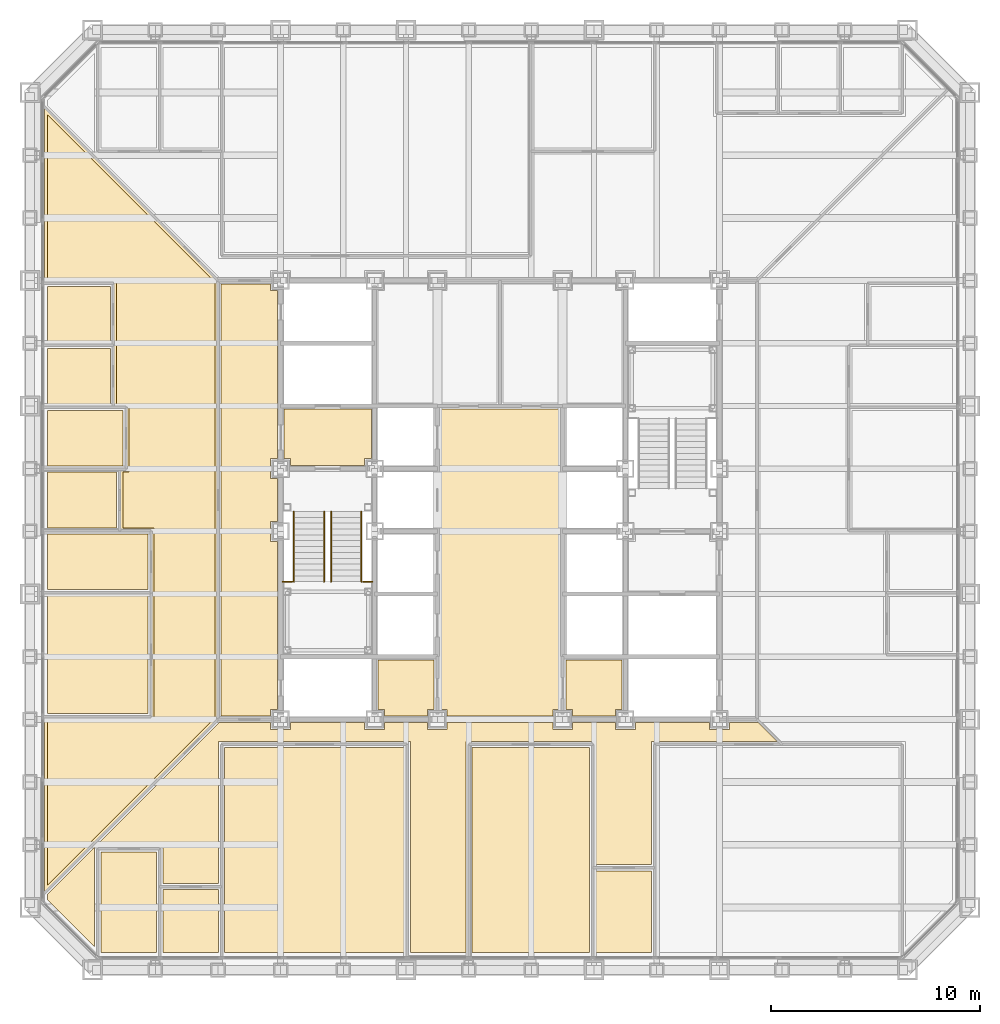
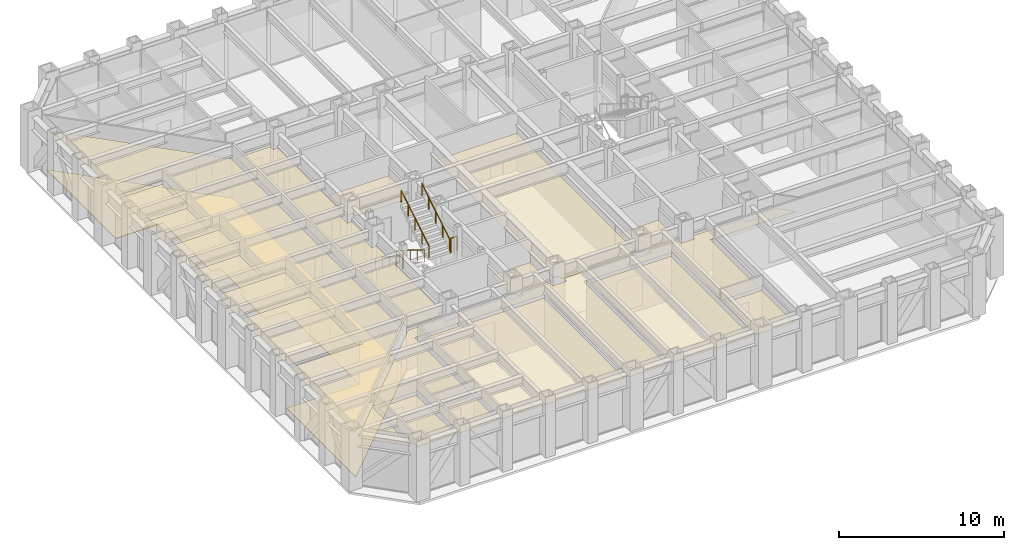
# One storey, part 14 of 17: 20 coverings, 6 railings.
"""IFC4 building model written with IfcOpenShell, lengths in metres."""

from ifc_helpers import new_model, si_unit, direction, frame, origin, origin_2d, place, context, subcontext, project, spatial, polyline, circle, outline, extrude, material, layer, layer_set, type_object, element, save


model = new_model("IFC4")

# Units and contexts
model_context = context("Model", 3, precision=1e-05, world=origin(), true_north=direction((0.0, 1.0)))
body_context = subcontext(model_context, "Body", "Model", "MODEL_VIEW")
ifc_project = project(units=[si_unit("LENGTHUNIT", "METRE"), si_unit("AREAUNIT", "SQUARE_METRE"), si_unit("VOLUMEUNIT", "CUBIC_METRE"), si_unit("PLANEANGLEUNIT", "RADIAN"), si_unit("MASSUNIT", "GRAM", prefix="KILO")], contexts=[model_context])

# Site, building, storey
site_placement = place(None, origin())
site = spatial("IfcSite", under=ifc_project, at=site_placement, CompositionType="ELEMENT")
building_placement = place(site_placement, origin())
building = spatial("IfcBuilding", under=site, at=building_placement, Name="Chuquiago Exchange Tower", CompositionType="ELEMENT")
storey_placement = place(building_placement, frame((0.0, 0.0, 64.800048828125)))
storey = spatial("IfcBuildingStorey", under=building, at=storey_placement, Name="L13", CompositionType="ELEMENT", Elevation=64.800048828125)

# Coverings
ifc_material_1 = material(Name="Mineral fibre tile, 600 x 600, on pale metal grid", Category="mineral fibre")
ifc_layer_1 = layer(ifc_material_1, 0.02001953125)
ifc_layer_set_1 = layer_set([ifc_layer_1], Name="CL1 suspended tile ceiling 20")
covering_type_1 = type_object("IfcCoveringType", Name="CL1 suspended tile ceiling 20", PredefinedType="CEILING", material=ifc_layer_set_1)
covering_1_placement = place(storey_placement, frame((0.0, 0.0, 3.0)))
element("IfcCovering", 1, at=covering_1_placement, inside=storey, type_object=covering_type_1, Name="Ceiling Office", PredefinedType="CEILING", context=body_context, shape_type="SweptSolid", body=[
    extrude(outline(polyline([(3.3984375, 5.64990234375), (6.060302734375, 5.64990234375), (6.060302734375, 0.85009765625), (3.3984375, 0.85009765625), (3.3984375, 5.64990234375)])), origin(), (0.0, 0.0, 1.0), 0.02001953125),
])
covering_2_placement = place(storey_placement, frame((0.0, 0.0, 3.0)))
element("IfcCovering", 2, at=covering_2_placement, inside=storey, type_object=covering_type_1, Name="Ceiling Focus room", PredefinedType="CEILING", context=body_context, shape_type="SweptSolid", body=[
    extrude(outline(polyline([(6.3603515625, 3.85009765625), (9.022216796875, 3.85009765625), (9.022216796875, 0.85009765625), (6.3603515625, 0.85009765625), (6.3603515625, 3.85009765625)])), origin(), (0.0, 0.0, 1.0), 0.02001953125),
])
covering_3_placement = place(storey_placement, frame((0.0, 0.0, 3.0)))
element("IfcCovering", 3, at=covering_3_placement, inside=storey, type_object=covering_type_1, Name="Ceiling Trading room", PredefinedType="CEILING", context=body_context, shape_type="SweptSolid", body=[
    extrude(outline(polyline([(9.322021484375, 10.64990234375), (17.907470703125, 10.64990234375), (17.907470703125, 0.85009765625), (9.322021484375, 0.85009765625), (9.322021484375, 10.64990234375)])), origin(), (0.0, 0.0, 1.0), 0.02001953125),
])
covering_4_placement = place(storey_placement, frame((0.0, 0.0, 3.0)))
element("IfcCovering", 4, at=covering_4_placement, inside=storey, type_object=covering_type_1, Name="Ceiling Trading room", PredefinedType="CEILING", context=body_context, shape_type="SweptSolid", body=[
    extrude(outline(polyline([(21.169189453125, 10.64990234375), (26.79248046875, 10.64990234375), (26.79248046875, 0.85009765625), (21.169189453125, 0.85009765625), (21.169189453125, 10.64990234375)])), origin(), (0.0, 0.0, 1.0), 0.02001953125),
])
covering_5_placement = place(storey_placement, frame((0.0, 0.0, 3.0)))
element("IfcCovering", 5, at=covering_5_placement, inside=storey, type_object=covering_type_1, Name="Ceiling Comms room", PredefinedType="CEILING", context=body_context, shape_type="SweptSolid", body=[
    extrude(outline(polyline([(27.092529296875, 4.75), (29.75439453125, 4.75), (29.75439453125, 0.85009765625), (27.092529296875, 0.85009765625), (27.092529296875, 4.75)])), origin(), (0.0, 0.0, 1.0), 0.02001953125),
])
covering_6_placement = place(storey_placement, frame((0.0, 0.0, 3.0)))
element("IfcCovering", 6, at=covering_6_placement, inside=storey, type_object=covering_type_1, Name="Ceiling Meeting room", PredefinedType="CEILING", context=body_context, shape_type="SweptSolid", body=[
    extrude(outline(polyline([(5.64990234375, 17.907470703125), (5.64990234375, 12.28369140625), (0.85009765625, 12.28369140625), (0.85009765625, 17.907470703125), (5.64990234375, 17.907470703125)])), origin(), (0.0, 0.0, 1.0), 0.02001953125),
])
covering_7_placement = place(storey_placement, frame((0.0, 0.0, 3.0)))
element("IfcCovering", 7, at=covering_7_placement, inside=storey, type_object=covering_type_1, Name="Ceiling Office", PredefinedType="CEILING", context=body_context, shape_type="SweptSolid", body=[
    extrude(outline(polyline([(5.64990234375, 20.869140625), (5.64990234375, 18.20751953125), (0.85009765625, 18.20751953125), (0.85009765625, 20.869140625), (5.64990234375, 20.869140625)])), origin(), (0.0, 0.0, 1.0), 0.02001953125),
])
covering_8_placement = place(storey_placement, frame((0.0, 0.0, 3.0)))
element("IfcCovering", 8, at=covering_8_placement, inside=storey, type_object=covering_type_1, Name="Ceiling Store", PredefinedType="CEILING", context=body_context, shape_type="SweptSolid", body=[
    extrude(outline(polyline([(4.14990234375, 23.830810546875), (4.14990234375, 21.169189453125), (0.85009765625, 21.169189453125), (0.85009765625, 23.830810546875), (4.14990234375, 23.830810546875)])), origin(), (0.0, 0.0, 1.0), 0.02001953125),
])
covering_9_placement = place(storey_placement, frame((0.0, 0.0, 3.0)))
element("IfcCovering", 9, at=covering_9_placement, inside=storey, type_object=covering_type_1, Name="Ceiling Pantry", PredefinedType="CEILING", context=body_context, shape_type="SweptSolid", body=[
    extrude(outline(polyline([(4.449951171875, 26.79248046875), (4.449951171875, 24.130859375), (0.85009765625, 24.130859375), (0.85009765625, 26.79248046875), (4.449951171875, 26.79248046875)])), origin(), (0.0, 0.0, 1.0), 0.02001953125),
])
covering_10_placement = place(storey_placement, frame((0.0, 0.0, 3.0)))
element("IfcCovering", 10, at=covering_10_placement, inside=storey, type_object=covering_type_1, Name="Ceiling Focus room", PredefinedType="CEILING", context=body_context, shape_type="SweptSolid", body=[
    extrude(outline(polyline([(3.85009765625, 29.75439453125), (3.85009765625, 27.092529296875), (0.85009765625, 27.092529296875), (0.85009765625, 29.75439453125), (3.85009765625, 29.75439453125)])), origin(), (0.0, 0.0, 1.0), 0.02001953125),
])
covering_11_placement = place(storey_placement, frame((0.0, 0.0, 3.0)))
element("IfcCovering", 11, at=covering_11_placement, inside=storey, type_object=covering_type_1, Name="Ceiling Focus room", PredefinedType="CEILING", context=body_context, shape_type="SweptSolid", body=[
    extrude(outline(polyline([(3.85009765625, 32.71630859375), (3.85009765625, 30.054443359375), (0.85009765625, 30.054443359375), (0.85009765625, 32.71630859375), (3.85009765625, 32.71630859375)])), origin(), (0.0, 0.0, 1.0), 0.02001953125),
])
covering_12_placement = place(storey_placement, frame((0.0, 0.0, 3.0)))
element("IfcCovering", 12, at=covering_12_placement, inside=storey, type_object=covering_type_1, Name="Ceiling Circulation corridor", PredefinedType="CEILING", context=body_context, shape_type="SweptSolid", body=[
    extrude(outline(polyline([(9.14990234375, 12.14990234375), (9.14990234375, 32.85009765625), (11.52490234375, 32.85009765625), (11.52490234375, 32.52490234375), (11.85009765625, 32.52490234375), (11.85009765625, 24.47509765625), (11.52490234375, 24.47509765625), (11.52490234375, 23.52490234375), (11.85009765625, 23.52490234375), (11.85009765625, 21.47509765625), (11.52490234375, 21.47509765625), (11.52490234375, 20.52490234375), (11.85009765625, 20.52490234375), (11.85009765625, 12.47509765625), (11.52490234375, 12.47509765625), (11.52490234375, 12.14990234375), (9.14990234375, 12.14990234375)])), origin(), (0.0, 0.0, 1.0), 0.02001953125),
])
covering_13_placement = place(storey_placement, frame((0.0, 0.0, 3.0)))
element("IfcCovering", 13, at=covering_13_placement, inside=storey, type_object=covering_type_1, Name="Ceiling Trading floor east", PredefinedType="CEILING", context=body_context, shape_type="SweptSolid", body=[
    extrude(outline(polyline([(9.0625, 11.85009765625), (11.52490234375, 11.85009765625), (11.52490234375, 11.52490234375), (12.47509765625, 11.52490234375), (12.47509765625, 11.85009765625), (16.02490234375, 11.85009765625), (16.02490234375, 11.52490234375), (16.97509765625, 11.52490234375), (16.97509765625, 11.85009765625), (19.02490234375, 11.85009765625), (19.02490234375, 11.52490234375), (19.97509765625, 11.52490234375), (19.97509765625, 11.85009765625), (25.02490234375, 11.85009765625), (25.02490234375, 11.52490234375), (25.97509765625, 11.52490234375), (25.97509765625, 11.85009765625), (28.02490234375, 11.85009765625), (28.02490234375, 11.52490234375), (28.97509765625, 11.52490234375), (28.97509765625, 11.85009765625), (32.52490234375, 11.85009765625), (32.52490234375, 11.52490234375), (33.47509765625, 11.52490234375), (33.47509765625, 11.85009765625), (34.85107421875, 11.85009765625), (35.7509765625, 10.949951171875), (29.75439453125, 10.949951171875), (29.75439453125, 5.050048828125), (27.092529296875, 5.050048828125), (27.092529296875, 10.949951171875), (20.869140625, 10.949951171875), (20.869140625, 0.85009765625), (18.20751953125, 0.85009765625), (18.20751953125, 10.949951171875), (9.022216796875, 10.949951171875), (9.022216796875, 4.14990234375), (6.3603515625, 4.14990234375), (6.3603515625, 5.949951171875), (3.162841796875, 5.949951171875), (9.0625, 11.85009765625)])), origin(), (0.0, 0.0, 1.0), 0.02001953125),
])
covering_14_placement = place(storey_placement, frame((0.0, 0.0, 3.0)))
element("IfcCovering", 14, at=covering_14_placement, inside=storey, type_object=covering_type_1, Name="Ceiling Trading floor east", PredefinedType="CEILING", context=body_context, shape_type="SweptSolid", body=[
    extrude(outline(polyline([(3.098388671875, 1.103515625), (0.85009765625, 3.35205078125), (0.85009765625, 3.63720703125), (3.098388671875, 5.8857421875), (3.098388671875, 1.103515625)])), origin(), (0.0, 0.0, 1.0), 0.02001953125),
])
covering_15_placement = place(storey_placement, frame((0.0, 0.0, 3.0)))
element("IfcCovering", 15, at=covering_15_placement, inside=storey, type_object=covering_type_1, Name="Ceiling Trading floor west", PredefinedType="CEILING", context=body_context, shape_type="SweptSolid", body=[
    extrude(outline(polyline([(5.949951171875, 21.169189453125), (4.449951171875, 21.169189453125), (4.449951171875, 23.830810546875), (4.75, 23.830810546875), (4.75, 27.092529296875), (4.14990234375, 27.092529296875), (4.14990234375, 33.01611328125), (0.85009765625, 33.01611328125), (0.85009765625, 40.937255859375), (8.85009765625, 32.9375), (8.85009765625, 12.0625), (0.85009765625, 4.062744140625), (0.85009765625, 11.98388671875), (5.949951171875, 11.98388671875), (5.949951171875, 21.169189453125)])), origin(), (0.0, 0.0, 1.0), 0.02001953125),
])
ifc_material_2 = material(Name="Moisture resistant plasterboard on metal frame", Category="gypsum")
ifc_layer_2 = layer(ifc_material_2, 0.014892578125)
ifc_layer_set_2 = layer_set([ifc_layer_2], Name="CL2 moisture resistant ceiling 15")
covering_type_2 = type_object("IfcCoveringType", Name="CL2 moisture resistant ceiling 15", PredefinedType="CEILING", material=ifc_layer_set_2)
covering_16_placement = place(storey_placement, frame((0.0, 0.0, 2.599853515625)))
element("IfcCovering", 16, at=covering_16_placement, inside=storey, type_object=covering_type_2, Name="Ceiling Accessible WC", PredefinedType="CEILING", context=body_context, shape_type="SweptSolid", body=[
    extrude(outline(polyline([(25.97509765625, 12.14990234375), (25.97509765625, 12.47509765625), (25.64990234375, 12.47509765625), (25.64990234375, 14.85009765625), (28.35009765625, 14.85009765625), (28.35009765625, 12.47509765625), (28.02490234375, 12.47509765625), (28.02490234375, 12.14990234375), (25.97509765625, 12.14990234375)])), origin(), (0.0, 0.0, 1.0), 0.01513671875),
])
covering_17_placement = place(storey_placement, frame((0.0, 0.0, 2.599853515625)))
element("IfcCovering", 17, at=covering_17_placement, inside=storey, type_object=covering_type_2, Name="Ceiling Cleaner", PredefinedType="CEILING", context=body_context, shape_type="SweptSolid", body=[
    extrude(outline(polyline([(16.97509765625, 12.14990234375), (16.97509765625, 12.47509765625), (16.64990234375, 12.47509765625), (16.64990234375, 14.85009765625), (19.35009765625, 14.85009765625), (19.35009765625, 12.47509765625), (19.02490234375, 12.47509765625), (19.02490234375, 12.14990234375), (16.97509765625, 12.14990234375)])), origin(), (0.0, 0.0, 1.0), 0.01513671875),
])
ifc_material_3 = material(Name="Pale metal plank ceiling, perforated", Category="aluminium")
ifc_layer_3 = layer(ifc_material_3, 0.030029296875)
ifc_layer_set_3 = layer_set([ifc_layer_3], Name="CL3 metal plank ceiling 30")
covering_type_3 = type_object("IfcCoveringType", Name="CL3 metal plank ceiling 30", PredefinedType="CEILING", material=ifc_layer_set_3)
covering_18_placement = place(storey_placement, frame((0.0, 0.0, 2.800048828125)))
element("IfcCovering", 18, at=covering_18_placement, inside=storey, type_object=covering_type_3, Name="Ceiling Lift lobby", PredefinedType="CEILING", context=body_context, shape_type="SweptSolid", body=[
    extrude(outline(polyline([(19.97509765625, 12.14990234375), (19.97509765625, 12.47509765625), (19.64990234375, 12.47509765625), (19.64990234375, 26.85009765625), (25.35009765625, 26.85009765625), (25.35009765625, 12.47509765625), (25.02490234375, 12.47509765625), (25.02490234375, 12.14990234375), (19.97509765625, 12.14990234375)])), origin(), (0.0, 0.0, 1.0), 0.02978515625),
])
covering_19_placement = place(storey_placement, frame((0.0, 0.0, 2.800048828125)))
element("IfcCovering", 19, at=covering_19_placement, inside=storey, type_object=covering_type_3, Name="Ceiling Firefighting lobby", PredefinedType="CEILING", context=body_context, shape_type="SweptSolid", body=[
    extrude(outline(polyline([(12.47509765625, 24.14990234375), (12.47509765625, 24.47509765625), (12.14990234375, 24.47509765625), (12.14990234375, 26.85009765625), (16.35009765625, 26.85009765625), (16.35009765625, 24.47509765625), (16.02490234375, 24.47509765625), (16.02490234375, 24.14990234375), (12.47509765625, 24.14990234375)])), origin(), (0.0, 0.0, 1.0), 0.02978515625),
])

# Railings
ifc_material_4 = material(Name="Pale metal guard with safety glass infill", Category="glass")
railing_type_1 = type_object("IfcRailingType", Name="GR1 guard 1100", PredefinedType="GUARDRAIL", material=ifc_material_4)
for number, where, name in (
    (20, (12.10009765625, 18.590087890625, 2.25), "Guard ST1 L13 landing 2"),
    (21, (15.945068359375, 18.590087890625, 2.25), "Guard ST1 L13 landing 2"),
):
    element("IfcRailing", number, at=place(storey_placement, frame(where)), inside=storey, type_object=railing_type_1, Name=name, PredefinedType="GUARDRAIL", context=body_context, shape_type="SweptSolid", body=[
        extrude(circle(Radius=0.02392578125, at=origin_2d()), frame((0.0, 0.0, 1.076171875), z_axis=(1.0, 0.0, 0.0), x_axis=(0.0, 1.0, 0.0)), (0.0, 0.0, 1.0), 0.454833984375),
        extrude(circle(Radius=0.02099609375, at=origin_2d()), origin(), (0.0, 0.0, 1.0), 1.052001953125),
        extrude(circle(Radius=0.02099609375, at=origin_2d()), frame((0.454833984375, 0.0, 0.0)), (0.0, 0.0, 1.0), 1.052001953125),
    ])
ifc_material_5 = material(Name="Pale metal handrail", Category="steel")
railing_type_2 = type_object("IfcRailingType", Name="HR1 handrail 900", PredefinedType="HANDRAIL", material=ifc_material_5)
for number, where, name in (
    (22, (12.635009765625, 21.949951171875, 0.173095703125), "Handrail ST1 L13 flight 1"),
    (23, (14.0849609375, 21.949951171875, 0.173095703125), "Handrail ST1 L13 flight 1"),
):
    element("IfcRailing", number, at=place(storey_placement, frame(where)), inside=storey, type_object=railing_type_2, Name=name, PredefinedType="HANDRAIL", context=body_context, shape_type="SweptSolid", body=[
        extrude(circle(Radius=0.02392578125, at=origin_2d()), frame((0.0, 0.0, 0.8759765625), z_axis=(0.0, -0.850606129759, 0.525803396734), x_axis=(1.0, 0.0, 0.0)), (0.0, 0.0, 1.0), 3.949951171875),
        extrude(circle(Radius=0.02099609375, at=origin_2d()), origin(), (0.0, 0.0, 1.0), 0.851806640625),
        extrude(circle(Radius=0.02099609375, at=origin_2d()), frame((0.0, -0.83984375, 0.519287109375)), (0.0, 0.0, 1.0), 0.851806640625),
        extrude(circle(Radius=0.02099609375, at=origin_2d()), frame((0.0, -1.679931640625, 1.03857421875)), (0.0, 0.0, 1.0), 0.851806640625),
        extrude(circle(Radius=0.02099609375, at=origin_2d()), frame((0.0, -2.52001953125, 1.5576171875)), (0.0, 0.0, 1.0), 0.851806640625),
        extrude(circle(Radius=0.02099609375, at=origin_2d()), frame((0.0, -3.35986328125, 2.076904296875)), (0.0, 0.0, 1.0), 0.851806640625),
    ])
for number, where, name in (
    (24, (15.864990234375, 18.590087890625, 2.423095703125), "Handrail ST1 L13 flight 2"),
    (25, (14.4150390625, 18.590087890625, 2.423095703125), "Handrail ST1 L13 flight 2"),
):
    element("IfcRailing", number, at=place(storey_placement, frame(where)), inside=storey, type_object=railing_type_2, Name=name, PredefinedType="HANDRAIL", context=body_context, shape_type="SweptSolid", body=[
        extrude(circle(Radius=0.02392578125, at=origin_2d()), frame((0.0, 0.0, 0.8759765625), z_axis=(0.0, 0.850606129759, 0.525803396734), x_axis=(-1.0, 0.0, 0.0)), (0.0, 0.0, 1.0), 3.949951171875),
        extrude(circle(Radius=0.02099609375, at=origin_2d()), origin(), (0.0, 0.0, 1.0), 0.851806640625),
        extrude(circle(Radius=0.02099609375, at=origin_2d()), frame((0.0, 0.83984375, 0.519287109375)), (0.0, 0.0, 1.0), 0.851806640625),
        extrude(circle(Radius=0.02099609375, at=origin_2d()), frame((0.0, 1.679931640625, 1.03857421875)), (0.0, 0.0, 1.0), 0.851806640625),
        extrude(circle(Radius=0.02099609375, at=origin_2d()), frame((0.0, 2.52001953125, 1.5576171875)), (0.0, 0.0, 1.0), 0.851806640625),
        extrude(circle(Radius=0.02099609375, at=origin_2d()), frame((0.0, 3.35986328125, 2.076904296875)), (0.0, 0.0, 1.0), 0.851806640625),
    ])

# Covering
ifc_material_6 = material(Name="Steel raised floor panel", Category="steel")
ifc_layer_4 = layer(ifc_material_6, 0.0400390625)
ifc_layer_set_4 = layer_set([ifc_layer_4], Name="RF1 raised access floor 40")
covering_type_4 = type_object("IfcCoveringType", Name="RF1 raised access floor 40", PredefinedType="FLOORING", material=ifc_layer_set_4)
covering_20_placement = place(storey_placement, frame((0.0, 0.0, -0.0400390625)))
element("IfcCovering", 26, at=covering_20_placement, inside=storey, type_object=covering_type_4, Name="Raised access floor Trading floor west", PredefinedType="FLOORING", context=body_context, shape_type="SweptSolid", body=[
    extrude(outline(polyline([(5.800048828125, 12.1337890625), (5.800048828125, 21.01904296875), (4.300048828125, 21.01904296875), (4.300048828125, 23.98095703125), (4.60009765625, 23.98095703125), (4.60009765625, 26.942626953125), (4.0, 26.942626953125), (4.0, 32.8662109375), (0.699951171875, 32.8662109375), (0.699951171875, 41.29931640625), (9.0, 32.99951171875), (9.0, 12.00048828125), (0.699951171875, 3.70068359375), (0.699951171875, 12.1337890625), (5.800048828125, 12.1337890625)])), origin(), (0.0, 0.0, 1.0), 0.0400390625),
])

save(model, "model.ifc")
